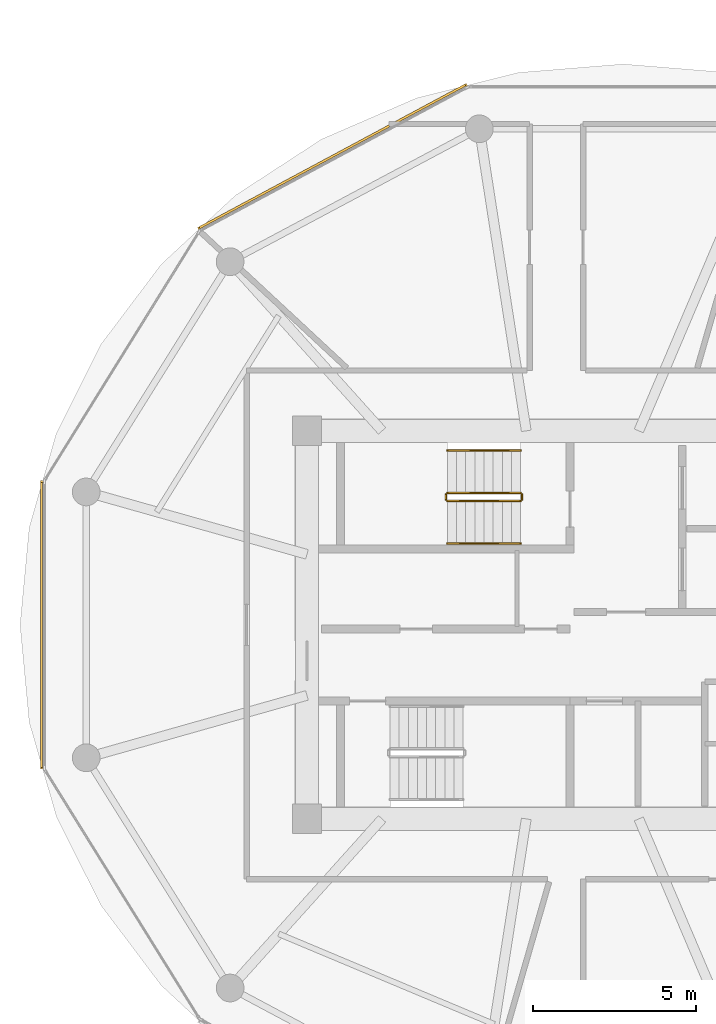
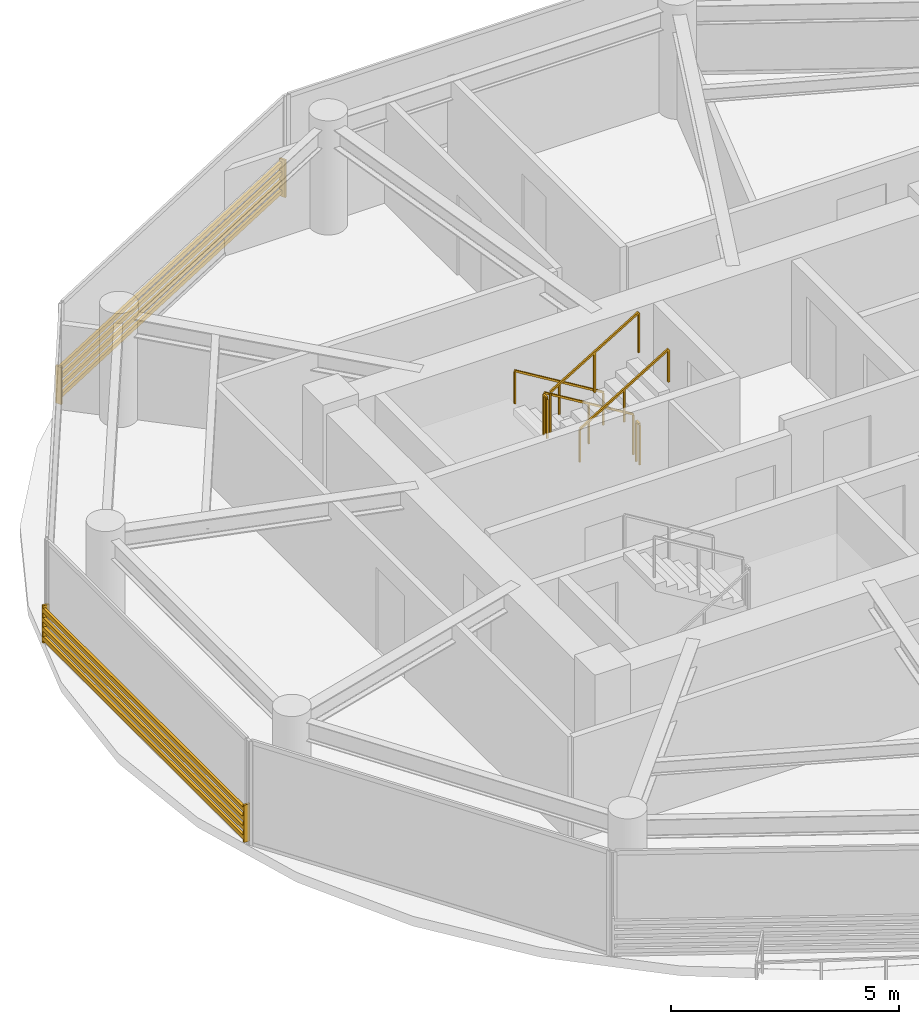
# One storey, part 20 of 24: 6 railings, 2 shading devices.
"""IFC4 building model written with IfcOpenShell, lengths in metres."""

from ifc_helpers import new_model, si_unit, direction, frame, origin, origin_2d, place, context, subcontext, project, spatial, rectangle, extrude, source, transform, mapped, material, type_object, type_shapes, element, save


model = new_model("IFC4")

# Units and contexts
model_context = context("Model", 3, precision=1e-05, world=origin(), true_north=direction((0.0, 1.0)))
body_context = subcontext(model_context, "Body", "Model", "MODEL_VIEW")
ifc_project = project(units=[si_unit("LENGTHUNIT", "METRE"), si_unit("AREAUNIT", "SQUARE_METRE"), si_unit("VOLUMEUNIT", "CUBIC_METRE"), si_unit("PLANEANGLEUNIT", "RADIAN"), si_unit("MASSUNIT", "GRAM", prefix="KILO")], contexts=[model_context])

# Site, building, storey
site_placement = place(None, origin())
site = spatial("IfcSite", under=ifc_project, at=site_placement, CompositionType="ELEMENT")
building_placement = place(site_placement, origin())
building = spatial("IfcBuilding", under=site, at=building_placement, Name="Norrkilde Senior Care Towers", CompositionType="ELEMENT")
storey_placement = place(building_placement, frame((0.0, 0.0, 114.550048828125)))
storey = spatial("IfcBuildingStorey", under=building, at=storey_placement, Name="L35", CompositionType="ELEMENT", Elevation=114.550048828125)

# Railings
ifc_material_1 = material(Name="Stainless Steel", Category="steel")
railing_type_1 = type_object("IfcRailingType", Name="Stair and Terrace Guardrail 1100", PredefinedType="GUARDRAIL", material=ifc_material_1)
railing_1_placement = place(storey_placement, frame((-29.10009765625, 4.050048828125, 0.16943359375)))
element("IfcRailing", 1, at=railing_1_placement, inside=storey, type_object=railing_type_1, Name="L35 ST-W1 stair guard 1", PredefinedType="GUARDRAIL", context=body_context, shape_type="SweptSolid", body=[
    extrude(rectangle(XDim=0.048095703125, YDim=0.048095703125, at=origin_2d()), frame((0.0, 0.0, 1.076171875), z_axis=(-0.855553338991, 0.0, 0.51771467445), x_axis=(0.0, -1.0, 0.0)), (0.0, 0.0, 1.0), 2.6181640625),
    extrude(rectangle(XDim=0.0419921875, YDim=0.0419921875, at=origin_2d()), origin(), (0.0, 0.0, 1.0), 1.050048828125),
    extrude(rectangle(XDim=0.0419921875, YDim=0.0419921875, at=origin_2d()), frame((-1.1201171875, 0.0, 0.677734375)), (0.0, 0.0, 1.0), 1.050048828125),
    extrude(rectangle(XDim=0.0419921875, YDim=0.0419921875, at=origin_2d()), frame((-2.239990234375, 0.0, 1.35546875)), (0.0, 0.0, 1.0), 1.050048828125),
])
railing_2_placement = place(storey_placement, frame((-31.389892578125, 4.0, 1.52490234375)))
element("IfcRailing", 2, at=railing_2_placement, inside=storey, type_object=railing_type_1, Name="L35 ST-W1 stair guard 2", PredefinedType="GUARDRAIL", context=body_context, shape_type="SweptSolid", body=[
    extrude(rectangle(XDim=0.048095703125, YDim=0.048095703125, at=origin_2d()), frame((0.0, 0.0, 1.076171875), z_axis=(0.0, -1.0, 0.0), x_axis=(1.0, 0.0, 0.0)), (0.0, 0.0, 1.0), 0.14990234375),
    extrude(rectangle(XDim=0.0419921875, YDim=0.0419921875, at=origin_2d()), origin(), (0.0, 0.0, 1.0), 1.050048828125),
    extrude(rectangle(XDim=0.0419921875, YDim=0.0419921875, at=origin_2d()), frame((0.0, -0.14990234375, 0.0)), (0.0, 0.0, 1.0), 1.050048828125),
])
railing_3_placement = place(storey_placement, frame((-31.340087890625, 3.800048828125, 1.6943359375)))
element("IfcRailing", 3, at=railing_3_placement, inside=storey, type_object=railing_type_1, Name="L35 ST-W1 stair guard 3", PredefinedType="GUARDRAIL", context=body_context, shape_type="SweptSolid", body=[
    extrude(rectangle(XDim=0.048095703125, YDim=0.048095703125, at=origin_2d()), frame((0.0, 0.0, 1.076171875), z_axis=(0.855512035549, 0.0, 0.517782924622), x_axis=(0.0, 1.0, 0.0)), (0.0, 0.0, 1.0), 2.618408203125),
    extrude(rectangle(XDim=0.0419921875, YDim=0.0419921875, at=origin_2d()), origin(), (0.0, 0.0, 1.0), 1.050048828125),
    extrude(rectangle(XDim=0.0419921875, YDim=0.0419921875, at=origin_2d()), frame((1.1201171875, 0.0, 0.677734375)), (0.0, 0.0, 1.0), 1.050048828125),
    extrude(rectangle(XDim=0.0419921875, YDim=0.0419921875, at=origin_2d()), frame((2.239990234375, 0.0, 1.355712890625)), (0.0, 0.0, 1.0), 1.050048828125),
])
railing_4_placement = place(storey_placement, frame((-29.050048828125, 4.0, 0.0)))
element("IfcRailing", 4, at=railing_4_placement, inside=storey, type_object=railing_type_1, Name="L35 ST-W1 stair guard 4", PredefinedType="GUARDRAIL", context=body_context, shape_type="SweptSolid", body=[
    extrude(rectangle(XDim=0.048095703125, YDim=0.048095703125, at=origin_2d()), frame((0.0, 0.0, 1.076171875), z_axis=(0.0, -1.0, 0.0), x_axis=(1.0, 0.0, 0.0)), (0.0, 0.0, 1.0), 0.14990234375),
    extrude(rectangle(XDim=0.0419921875, YDim=0.0419921875, at=origin_2d()), origin(), (0.0, 0.0, 1.0), 1.050048828125),
    extrude(rectangle(XDim=0.0419921875, YDim=0.0419921875, at=origin_2d()), frame((0.0, -0.14990234375, 0.0)), (0.0, 0.0, 1.0), 1.050048828125),
])
ifc_material_2 = material(Name="Nordic Ash Timber", Category="wood")
railing_type_2 = type_object("IfcRailingType", Name="Wall and Stair Handrail 900", PredefinedType="HANDRAIL", material=ifc_material_2)
railing_5_placement = place(storey_placement, frame((-29.10009765625, 5.35009765625, 0.16943359375)))
element("IfcRailing", 5, at=railing_5_placement, inside=storey, type_object=railing_type_2, Name="L35 ST-W1 stair handrail 1", PredefinedType="HANDRAIL", context=body_context, shape_type="SweptSolid", body=[
    extrude(rectangle(XDim=0.048095703125, YDim=0.048095703125, at=origin_2d()), frame((0.0, 0.0, 0.8759765625), z_axis=(-0.855553338991, 0.0, 0.51771467445), x_axis=(0.0, -1.0, 0.0)), (0.0, 0.0, 1.0), 2.6181640625),
    extrude(rectangle(XDim=0.0419921875, YDim=0.0419921875, at=origin_2d()), origin(), (0.0, 0.0, 1.0), 0.849853515625),
    extrude(rectangle(XDim=0.0419921875, YDim=0.0419921875, at=origin_2d()), frame((-1.1201171875, 0.0, 0.677734375)), (0.0, 0.0, 1.0), 0.849853515625),
    extrude(rectangle(XDim=0.0419921875, YDim=0.0419921875, at=origin_2d()), frame((-2.239990234375, 0.0, 1.35546875)), (0.0, 0.0, 1.0), 0.849853515625),
])
railing_6_placement = place(storey_placement, frame((-31.340087890625, 2.5, 1.6943359375)))
element("IfcRailing", 6, at=railing_6_placement, inside=storey, type_object=railing_type_2, Name="L35 ST-W1 stair handrail 2", PredefinedType="HANDRAIL", context=body_context, shape_type="SweptSolid", body=[
    extrude(rectangle(XDim=0.048095703125, YDim=0.048095703125, at=origin_2d()), frame((0.0, 0.0, 0.8759765625), z_axis=(0.855512035549, 0.0, 0.517782924622), x_axis=(0.0, 1.0, 0.0)), (0.0, 0.0, 1.0), 2.618408203125),
    extrude(rectangle(XDim=0.0419921875, YDim=0.0419921875, at=origin_2d()), origin(), (0.0, 0.0, 1.0), 0.849853515625),
    extrude(rectangle(XDim=0.0419921875, YDim=0.0419921875, at=origin_2d()), frame((1.1201171875, 0.0, 0.677734375)), (0.0, 0.0, 1.0), 0.849853515625),
    extrude(rectangle(XDim=0.0419921875, YDim=0.0419921875, at=origin_2d()), frame((2.239990234375, 0.0, 1.355712890625)), (0.0, 0.0, 1.0), 0.849853515625),
])

# Shading devices
ifc_material_3 = material(Name="Architectural Terracotta", Category="masonry")
shading_device_type = type_object("IfcShadingDeviceType", Name="Horizontal Terracotta Baguette Rack", PredefinedType="USERDEFINED", material=ifc_material_3)
shared_shape_1 = source(origin(), body_context, "Body", "SweptSolid", [
    extrude(rectangle(XDim=0.070068359375, YDim=0.110107421875, at=origin_2d()), frame((0.0, 0.090087890625, 0.125), z_axis=(1.0, 0.0, 0.0), x_axis=(0.0, 1.0, 0.0)), (0.0, 0.0, 1.0), 9.3505859375),
    extrude(rectangle(XDim=0.070068359375, YDim=0.110107421875, at=origin_2d()), frame((0.0, 0.090087890625, 0.375), z_axis=(1.0, 0.0, 0.0), x_axis=(0.0, 1.0, 0.0)), (0.0, 0.0, 1.0), 9.3505859375),
    extrude(rectangle(XDim=0.070068359375, YDim=0.110107421875, at=origin_2d()), frame((0.0, 0.090087890625, 0.625), z_axis=(1.0, 0.0, 0.0), x_axis=(0.0, 1.0, 0.0)), (0.0, 0.0, 1.0), 9.3505859375),
    extrude(rectangle(XDim=0.070068359375, YDim=0.110107421875, at=origin_2d()), frame((0.0, 0.090087890625, 0.875), z_axis=(1.0, 0.0, 0.0), x_axis=(0.0, 1.0, 0.0)), (0.0, 0.0, 1.0), 9.3505859375),
    extrude(rectangle(XDim=0.050048828125, YDim=0.1552734375, at=origin_2d()), frame((0.02490234375, 0.047607421875, 0.0)), (0.0, 0.0, 1.0), 1.0),
    extrude(rectangle(XDim=0.050048828125, YDim=0.1552734375, at=origin_2d()), frame((9.32568359375, 0.047607421875, 0.0)), (0.0, 0.0, 1.0), 1.0),
])
shading_device_1_placement = place(storey_placement, frame((-38.946533203125, 12.077392578125, 0.079833984375), z_axis=(0.0, 0.0, 1.0), x_axis=(0.881174934726, 0.472767624021, 0.0)))
element("IfcShadingDevice", 7, at=shading_device_1_placement, inside=storey, type_object=shading_device_type, Name="L35 Drum W Terracotta Baguette Screen 03", ObjectType="BAGUETTE", PredefinedType="USERDEFINED", context=body_context, shape_type="MappedRepresentation", body=[
    mapped(shared_shape_1, transform((0.0, 0.0, 0.0), x_axis=(1.0, 0.0, 0.0), y_axis=(0.0, 1.0, 0.0), z_axis=(0.0, 0.0, 1.0), scale=1.0)),
])
shared_shape_2 = source(origin(), body_context, "Body", "SweptSolid", [
    extrude(rectangle(XDim=0.070068359375, YDim=0.110107421875, at=origin_2d()), frame((0.0, 0.090087890625, 0.125), z_axis=(1.0, 0.0, 0.0), x_axis=(0.0, 1.0, 0.0)), (0.0, 0.0, 1.0), 8.84130859375),
    extrude(rectangle(XDim=0.070068359375, YDim=0.110107421875, at=origin_2d()), frame((0.0, 0.090087890625, 0.375), z_axis=(1.0, 0.0, 0.0), x_axis=(0.0, 1.0, 0.0)), (0.0, 0.0, 1.0), 8.84130859375),
    extrude(rectangle(XDim=0.070068359375, YDim=0.110107421875, at=origin_2d()), frame((0.0, 0.090087890625, 0.625), z_axis=(1.0, 0.0, 0.0), x_axis=(0.0, 1.0, 0.0)), (0.0, 0.0, 1.0), 8.84130859375),
    extrude(rectangle(XDim=0.070068359375, YDim=0.110107421875, at=origin_2d()), frame((0.0, 0.090087890625, 0.875), z_axis=(1.0, 0.0, 0.0), x_axis=(0.0, 1.0, 0.0)), (0.0, 0.0, 1.0), 8.84130859375),
    extrude(rectangle(XDim=0.050048828125, YDim=0.1552734375, at=origin_2d()), frame((0.02490234375, 0.047607421875, 0.0)), (0.0, 0.0, 1.0), 1.0),
    extrude(rectangle(XDim=0.050048828125, YDim=0.1552734375, at=origin_2d()), frame((8.81640625, 0.047607421875, 0.0)), (0.0, 0.0, 1.0), 1.0),
])
type_shapes(shading_device_type, [shared_shape_1, shared_shape_2])
shading_device_2_placement = place(storey_placement, frame((-43.70361328125, -4.420654296875, 0.079833984375), z_axis=(0.0, 0.0, 1.0), x_axis=(0.0, 1.0, 0.0)))
element("IfcShadingDevice", 8, at=shading_device_2_placement, inside=storey, type_object=shading_device_type, Name="L35 Drum W Terracotta Baguette Screen 05", ObjectType="BAGUETTE", PredefinedType="USERDEFINED", context=body_context, shape_type="MappedRepresentation", body=[
    mapped(shared_shape_2, transform((0.0, 0.0, 0.0), x_axis=(1.0, 0.0, 0.0), y_axis=(0.0, 1.0, 0.0), z_axis=(0.0, 0.0, 1.0), scale=1.0)),
])

save(model, "model.ifc")
